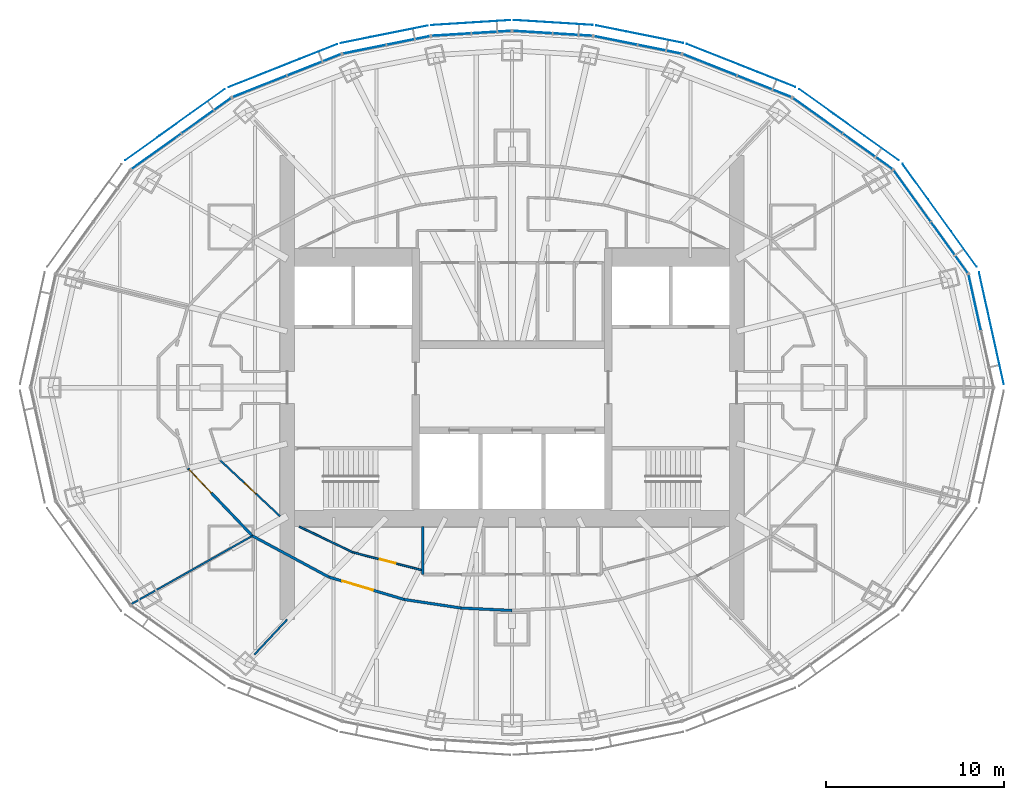
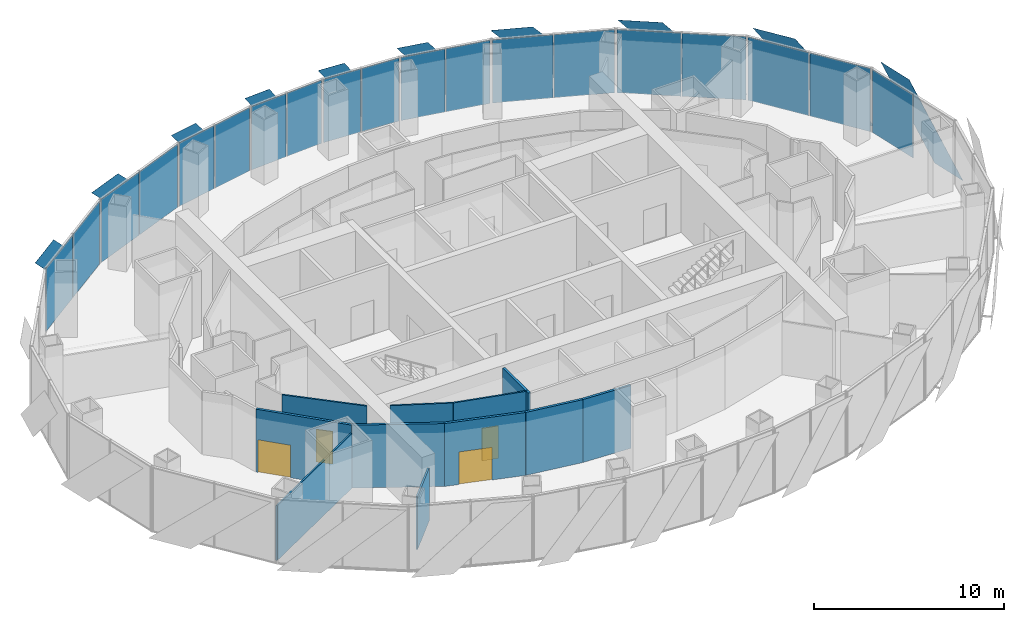
# One storey, part 11 of 17: 29 plates, 11 walls, 4 doors, 4 openings, 10 elements without a shape of their own.
"""IFC4 building model written with IfcOpenShell, lengths in metres."""

import ifcopenshell
import ifcopenshell.guid

model = None  # the IFC model being written
_history = None  # IfcOwnerHistory: only IFC2X3 demands one
_inside = {}  # id of a spatial element -> (the spatial element, [elements in it])
_under = {}  # id of a project, library or spatial element -> (it, [spatial elements below it])
_declared = {}  # id of a project -> (the project, [libraries it declares])
_typed = {}  # id of a type object -> (the type object, [elements of that type])
_made_of = {}  # id of a material, layer set ... -> (it, [elements and type objects made of it])


def new_model(schema):
    """Start an empty IFC model of exactly this schema.

    Asked for "IFC4X3", IfcOpenShell would pick the latest addendum, in which some entities
    have other attributes; the version numbers below select the first issue.
    IFC2X3 requires an IfcOwnerHistory on every rooted entity: one is made here for all.
    """
    global model, _history
    if schema == "IFC4X3":
        model = ifcopenshell.file(schema_version=(4, 3, 0, 0))
    else:
        model = ifcopenshell.file(schema=schema)
    _inside.clear()
    _under.clear()
    _declared.clear()
    _typed.clear()
    _made_of.clear()
    _history = None
    if model.schema == "IFC2X3":
        org = make("IfcOrganization", Name="unknown")
        user = make(
            "IfcPersonAndOrganization",
            ThePerson=make("IfcPerson", FamilyName="unknown"),
            TheOrganization=org,
        )
        app = make(
            "IfcApplication",
            ApplicationDeveloper=org,
            Version="unknown",
            ApplicationFullName="unknown",
            ApplicationIdentifier="unknown",
        )
        _history = make(
            "IfcOwnerHistory",
            OwningUser=user,
            OwningApplication=app,
            ChangeAction="ADDED",
            CreationDate=0,
        )
    return model


def make(cls, **values):
    """One entity of the class cls with the attributes given. An attribute that is None is left unset."""
    return model.create_entity(
        cls, **{name: value for name, value in values.items() if value is not None}
    )


def rooted(cls, **values):
    """An entity with a GlobalId (a new one), such as an element, a storey or a relation."""
    return make(cls, GlobalId=ifcopenshell.guid.new(), OwnerHistory=_history, **values)


def si_unit(unit_type, name, prefix=None):
    """IfcSIUnit, for example si_unit("LENGTHUNIT", "METRE", prefix="MILLI")."""
    return make("IfcSIUnit", UnitType=unit_type, Prefix=prefix, Name=name)


def assignment(units):
    """IfcUnitAssignment: the units of a project."""
    return None if units is None else make("IfcUnitAssignment", Units=units)


def point(xyz):
    """IfcCartesianPoint."""
    return None if xyz is None else make("IfcCartesianPoint", Coordinates=xyz)


def direction(xyz):
    """IfcDirection."""
    return None if xyz is None else make("IfcDirection", DirectionRatios=xyz)


def frame(location, z_axis=None, x_axis=None):
    """IfcAxis2Placement3D, a coordinate frame: its origin and axes. An axis left out is left unset."""
    return make(
        "IfcAxis2Placement3D",
        Location=point(location),
        Axis=direction(z_axis),
        RefDirection=direction(x_axis),
    )


def frame_2d(location, x_axis=None):
    """IfcAxis2Placement2D, a coordinate frame in the plane: its origin and x axis."""
    return make(
        "IfcAxis2Placement2D", Location=point(location), RefDirection=direction(x_axis)
    )


def origin():
    """The frame at (0, 0, 0) with its axes left unset."""
    return frame((0.0, 0.0, 0.0))


def origin_2d():
    """The frame at (0, 0) in the plane with its x axis left unset."""
    return frame_2d((0.0, 0.0))


def place(relative_to, where):
    """IfcLocalPlacement: puts the frame where relative to a parent placement (None: the world)."""
    return make(
        "IfcLocalPlacement", PlacementRelTo=relative_to, RelativePlacement=where
    )


def context(
    kind, dimensions, precision=None, world=None, true_north=None, identifier=None
):
    """IfcGeometricRepresentationContext, for example the 3D "Model" context."""
    return make(
        "IfcGeometricRepresentationContext",
        ContextIdentifier=identifier,
        ContextType=kind,
        CoordinateSpaceDimension=dimensions,
        Precision=precision,
        WorldCoordinateSystem=world,
        TrueNorth=true_north,
    )


def subcontext(parent, identifier, kind, view, scale=None):
    """IfcGeometricRepresentationSubContext, for example "Body" below "Model"."""
    return make(
        "IfcGeometricRepresentationSubContext",
        ContextIdentifier=identifier,
        ContextType=kind,
        ParentContext=parent,
        TargetScale=scale,
        TargetView=view,
    )


def project(units=None, contexts=None):
    """IfcProject with its units and contexts."""
    return rooted(
        "IfcProject",
        Name="project",
        RepresentationContexts=contexts,
        UnitsInContext=assignment(units),
    )


def spatial(cls, under=None, at=None, **own):
    """A site, building, storey or space (cls), placed at a placement, below another one or the project."""
    s = rooted(cls, ObjectPlacement=at, **own)
    if under is not None:
        _under.setdefault(under.id(), (under, []))[1].append(s)
    return s


def polyline(points):
    """IfcPolyline through the points."""
    return make("IfcPolyline", Points=[point(p) for p in points])


def profile(cls, at=None, kind="AREA", **sizes):
    """A parametric profile (cls). Its sizes go by their IFC names, for example OverallWidth=200.0."""
    return make(cls, ProfileType=kind, Position=at, **sizes)


def rectangle(**sizes):
    """IfcRectangleProfileDef."""
    return profile("IfcRectangleProfileDef", **sizes)


def outline(outer, holes=None, kind="AREA"):
    """IfcArbitraryClosedProfileDef: a profile drawn as a closed curve; with holes, ...WithVoids."""
    if holes is None:
        return make("IfcArbitraryClosedProfileDef", ProfileType=kind, OuterCurve=outer)
    return make(
        "IfcArbitraryProfileDefWithVoids",
        ProfileType=kind,
        OuterCurve=outer,
        InnerCurves=holes,
    )


def extrude(swept, where, along, depth):
    """IfcExtrudedAreaSolid: the profile swept, set in the frame where, extruded along a direction by depth."""
    return make(
        "IfcExtrudedAreaSolid",
        SweptArea=swept,
        Position=where,
        ExtrudedDirection=direction(along),
        Depth=depth,
    )


def shape(context_of_items, identifier, shape_type, items):
    """IfcShapeRepresentation: the items that make up one representation, for example the "Body"."""
    return make(
        "IfcShapeRepresentation",
        ContextOfItems=context_of_items,
        RepresentationIdentifier=identifier,
        RepresentationType=shape_type,
        Items=items,
    )


def material(Name=None, Category=None):
    """IfcMaterial."""
    return make("IfcMaterial", Name=Name, Category=Category)


def layer(
    of_material, thickness, ventilated=None, Name=None, Category=None, Priority=None
):
    """IfcMaterialLayer: one layer of a wall or slab, of a material (None: an air gap)."""
    return make(
        "IfcMaterialLayer",
        Material=of_material,
        LayerThickness=thickness,
        IsVentilated=ventilated,
        Name=Name,
        Category=Category,
        Priority=Priority,
    )


def layer_set(layers, Name=None):
    """IfcMaterialLayerSet."""
    return make("IfcMaterialLayerSet", MaterialLayers=layers, LayerSetName=Name)


def made_of(thing, what):
    """Note that an element or type object is made of a material, layer set ...; save() writes the relation."""
    if what is not None:
        _made_of.setdefault(what.id(), (what, []))[1].append(thing)
    return thing


def type_object(cls, material=None, **own):
    """A type object (cls), such as IfcWallType, which elements share."""
    return made_of(rooted(cls, **own), material)


def element(
    cls,
    number,
    at=None,
    inside=None,
    cuts=None,
    type_object=None,
    material=None,
    context=None,
    identifier="Body",
    shape_type=None,
    held_by="IfcProductDefinitionShape",
    body=None,
    shapes=None,
    **own,
):
    """One element of the class cls, such as IfcWall. Its Tag is "e" and its number.

    at: its placement. inside: the storey or other place that contains it. cuts: it is an
    opening in that element (IfcRelVoidsElement). A single representation is given by context,
    identifier, shape_type and body (its items); several are given by shapes. held_by: the class
    of the entity that holds the representations. save() writes the other relations.
    """
    e = rooted(cls, Tag="e%d" % number, ObjectPlacement=at, **own)
    if body is not None:
        shapes = [shape(context, identifier, shape_type, body)]
    if shapes is not None:
        e.Representation = make(held_by, Representations=shapes)
    if inside is not None:
        _inside.setdefault(inside.id(), (inside, []))[1].append(e)
    if cuts is not None:
        rooted(
            "IfcRelVoidsElement", RelatingBuildingElement=cuts, RelatedOpeningElement=e
        )
    if type_object is not None:
        _typed.setdefault(type_object.id(), (type_object, []))[1].append(e)
    return made_of(e, material)


def fill(opening, filler):
    """IfcRelFillsElement: the door or window that sits in an opening."""
    return rooted(
        "IfcRelFillsElement",
        RelatingOpeningElement=opening,
        RelatedBuildingElement=filler,
    )


def aggregate(whole, parts):
    """IfcRelAggregates: a whole, such as a stair, and the parts it consists of."""
    return rooted("IfcRelAggregates", RelatingObject=whole, RelatedObjects=parts)


def save(model, path):
    """Write the relations noted so far, then the file.

    IfcRelAggregates (storeys below a building ...), IfcRelContainedInSpatialStructure (elements
    in a storey), IfcRelDefinesByType, IfcRelAssociatesMaterial and IfcRelDeclares: one each for
    every whole, place, type object, material and project.
    """
    for whole, parts in _under.values():
        aggregate(whole, parts)
    for where, things in _inside.values():
        rooted(
            "IfcRelContainedInSpatialStructure",
            RelatedElements=things,
            RelatingStructure=where,
        )
    for kind, things in _typed.values():
        rooted("IfcRelDefinesByType", RelatedObjects=things, RelatingType=kind)
    for what, things in _made_of.values():
        rooted("IfcRelAssociatesMaterial", RelatedObjects=things, RelatingMaterial=what)
    for by, libraries in _declared.values():
        rooted("IfcRelDeclares", RelatingContext=by, RelatedDefinitions=libraries)
    model.write(path)


model = new_model("IFC4")

# Units and contexts
model_context = context("Model", 3, precision=1e-05, world=origin(), true_north=direction((0.0, 1.0)))
body_context = subcontext(model_context, "Body", "Model", "MODEL_VIEW")
ifc_project = project(units=[si_unit("LENGTHUNIT", "METRE"), si_unit("AREAUNIT", "SQUARE_METRE"), si_unit("VOLUMEUNIT", "CUBIC_METRE"), si_unit("PLANEANGLEUNIT", "RADIAN"), si_unit("MASSUNIT", "GRAM", prefix="KILO")], contexts=[model_context])

# Site, building, storey
site_placement = place(None, origin())
site = spatial("IfcSite", under=ifc_project, at=site_placement, CompositionType="ELEMENT")
building_placement = place(site_placement, origin())
building = spatial("IfcBuilding", under=site, at=building_placement, Name="Lantaw Convention Tower", CompositionType="ELEMENT")
storey_placement = place(building_placement, frame((0.0, 0.0, 211.60009765625)))
storey = spatial("IfcBuildingStorey", under=building, at=storey_placement, Name="L49", CompositionType="ELEMENT", Elevation=211.60009765625)

# Curtain wall, plate
ifc_material_1 = material(Name="Aluminium framed curtain wall", Category="aluminium")
curtain_wall_type = type_object("IfcCurtainWallType", Name="Office curtain wall high rise, pale aluminium", PredefinedType="USERDEFINED", material=ifc_material_1)
curtain_wall_1_placement = place(storey_placement, origin())
curtain_wall_1 = element("IfcCurtainWall", 1, at=curtain_wall_1_placement, inside=storey, type_object=curtain_wall_type, Name="Office curtain wall high rise, pale aluminium L49", ObjectType="UNITISED CURTAIN WALL", PredefinedType="USERDEFINED")
ifc_material_2 = material(Name="Clear insulating glass", Category="glass")
ifc_layer_1 = layer(ifc_material_2, 0.028076171875)
ifc_layer_set_1 = layer_set([ifc_layer_1], Name="CW-O2 panel 28")
plate_type_1 = type_object("IfcPlateType", Name="CW-O2 panel 28", PredefinedType="CURTAIN_PANEL", material=ifc_layer_set_1)
plate_1_placement = place(storey_placement, frame((25.945556640625, 4.769287109375, -0.0849609375), z_axis=(0.0, 0.0, 1.0), x_axis=(-0.215891333626, 0.976417396437, 0.0)))
plate_1 = element("IfcPlate", 2, at=plate_1_placement, type_object=plate_type_1, Name="CW-O2 panel 2.1", PredefinedType="CURTAIN_PANEL", context=body_context, shape_type="SweptSolid", body=[
    extrude(rectangle(XDim=3.169677734375, YDim=0.028076171875, at=origin_2d()), origin(), (0.0, 0.0, 1.0), 4.070068359375),
])
aggregate(curtain_wall_1, [plate_1])

# Curtain wall, plates
curtain_wall_2_placement = place(storey_placement, origin())
curtain_wall_2 = element("IfcCurtainWall", 3, at=curtain_wall_2_placement, inside=storey, type_object=curtain_wall_type, Name="Office curtain wall high rise, pale aluminium L49", ObjectType="UNITISED CURTAIN WALL", PredefinedType="USERDEFINED")
plate_2_placement = place(storey_placement, frame((24.527099609375, 7.852294921875, -0.0849609375), z_axis=(0.0, 0.0, 1.0), x_axis=(-0.585157643865, 0.810919559405, 0.0)))
plate_2 = element("IfcPlate", 4, at=plate_2_placement, type_object=plate_type_1, Name="CW-O2 panel 1.1", PredefinedType="CURTAIN_PANEL", context=body_context, shape_type="SweptSolid", body=[
    extrude(rectangle(XDim=3.500732421875, YDim=0.028076171875, at=origin_2d()), origin(), (0.0, 0.0, 1.0), 4.070068359375),
])
plate_3_placement = place(storey_placement, frame((22.4404296875, 10.743896484375, -0.0849609375), z_axis=(0.0, 0.0, 1.0), x_axis=(-0.585157643865, 0.810919559405, 0.0)))
plate_3 = element("IfcPlate", 5, at=plate_3_placement, type_object=plate_type_1, Name="CW-O2 panel 2.1", PredefinedType="CURTAIN_PANEL", context=body_context, shape_type="SweptSolid", body=[
    extrude(rectangle(XDim=3.500732421875, YDim=0.028076171875, at=origin_2d()), origin(), (0.0, 0.0, 1.0), 4.070068359375),
])
aggregate(curtain_wall_2, [plate_2, plate_3])

curtain_wall_3_placement = place(storey_placement, origin())
curtain_wall_3 = element("IfcCurtainWall", 6, at=curtain_wall_3_placement, inside=storey, type_object=curtain_wall_type, Name="Office curtain wall high rise, pale aluminium L49", ObjectType="UNITISED CURTAIN WALL", PredefinedType="USERDEFINED")
plate_4_placement = place(storey_placement, frame((19.947509765625, 13.23828125, -0.0849609375), z_axis=(0.0, 0.0, 1.0), x_axis=(-0.813672540482, 0.581323487281, 0.0)))
plate_4 = element("IfcPlate", 7, at=plate_4_placement, type_object=plate_type_1, Name="CW-O2 panel 1.1", PredefinedType="CURTAIN_PANEL", context=body_context, shape_type="SweptSolid", body=[
    extrude(rectangle(XDim=3.386474609375, YDim=0.028076171875, at=origin_2d()), origin(), (0.0, 0.0, 1.0), 4.070068359375),
])
plate_5_placement = place(storey_placement, frame((17.13916015625, 15.24462890625, -0.0849609375), z_axis=(0.0, 0.0, 1.0), x_axis=(-0.813672540482, 0.581323487281, 0.0)))
plate_5 = element("IfcPlate", 8, at=plate_5_placement, type_object=plate_type_1, Name="CW-O2 panel 2.1", PredefinedType="CURTAIN_PANEL", context=body_context, shape_type="SweptSolid", body=[
    extrude(rectangle(XDim=3.386474609375, YDim=0.028076171875, at=origin_2d()), origin(), (0.0, 0.0, 1.0), 4.070068359375),
])
aggregate(curtain_wall_3, [plate_4, plate_5])

curtain_wall_4_placement = place(storey_placement, origin())
curtain_wall_4 = element("IfcCurtainWall", 9, at=curtain_wall_4_placement, inside=storey, type_object=curtain_wall_type, Name="Office curtain wall high rise, pale aluminium L49", ObjectType="UNITISED CURTAIN WALL", PredefinedType="USERDEFINED")
plate_6_placement = place(storey_placement, frame((14.14990234375, 16.8837890625, -0.0849609375), z_axis=(0.0, 0.0, 1.0), x_axis=(-0.929761533743, 0.368162315252, 0.0)))
plate_6 = element("IfcPlate", 10, at=plate_6_placement, type_object=plate_type_1, Name="CW-O2 panel 1.1", PredefinedType="CURTAIN_PANEL", context=body_context, shape_type="SweptSolid", body=[
    extrude(rectangle(XDim=3.222900390625, YDim=0.028076171875, at=origin_2d()), origin(), (0.0, 0.0, 1.0), 4.070068359375),
])
plate_7_placement = place(storey_placement, frame((11.0927734375, 18.094482421875, -0.0849609375), z_axis=(0.0, 0.0, 1.0), x_axis=(-0.929761533743, 0.368162315252, 0.0)))
plate_7 = element("IfcPlate", 11, at=plate_7_placement, type_object=plate_type_1, Name="CW-O2 panel 2.1", PredefinedType="CURTAIN_PANEL", context=body_context, shape_type="SweptSolid", body=[
    extrude(rectangle(XDim=3.222900390625, YDim=0.028076171875, at=origin_2d()), origin(), (0.0, 0.0, 1.0), 4.070068359375),
])
aggregate(curtain_wall_4, [plate_6, plate_7])

curtain_wall_5_placement = place(storey_placement, origin())
curtain_wall_5 = element("IfcCurtainWall", 12, at=curtain_wall_5_placement, inside=storey, type_object=curtain_wall_type, Name="Office curtain wall high rise, pale aluminium L49", ObjectType="UNITISED CURTAIN WALL", PredefinedType="USERDEFINED")
plate_8_placement = place(storey_placement, frame((8.2724609375, 18.96533203125, -0.0849609375), z_axis=(0.0, 0.0, 1.0), x_axis=(-0.980366679695, 0.197183095987, 0.0)))
plate_8 = element("IfcPlate", 13, at=plate_8_placement, type_object=plate_type_1, Name="CW-O2 panel 1.1", PredefinedType="CURTAIN_PANEL", context=body_context, shape_type="SweptSolid", body=[
    extrude(rectangle(XDim=2.44384765625, YDim=0.028076171875, at=origin_2d()), origin(), (0.0, 0.0, 1.0), 4.070068359375),
])
plate_9_placement = place(storey_placement, frame((5.81298828125, 19.4599609375, -0.0849609375), z_axis=(0.0, 0.0, 1.0), x_axis=(-0.980366679695, 0.197183095987, 0.0)))
plate_9 = element("IfcPlate", 14, at=plate_9_placement, type_object=plate_type_1, Name="CW-O2 panel 2.1", PredefinedType="CURTAIN_PANEL", context=body_context, shape_type="SweptSolid", body=[
    extrude(rectangle(XDim=2.44384765625, YDim=0.028076171875, at=origin_2d()), origin(), (0.0, 0.0, 1.0), 4.070068359375),
])
aggregate(curtain_wall_5, [plate_8, plate_9])

curtain_wall_6_placement = place(storey_placement, origin())
curtain_wall_6 = element("IfcCurtainWall", 15, at=curtain_wall_6_placement, inside=storey, type_object=curtain_wall_type, Name="Office curtain wall high rise, pale aluminium L49", ObjectType="UNITISED CURTAIN WALL", PredefinedType="USERDEFINED")
plate_10_placement = place(storey_placement, frame((3.397216796875, 19.786376953125, -0.0849609375), z_axis=(0.0, 0.0, 1.0), x_axis=(-0.998028774865, 0.062757983884, 0.0)))
plate_10 = element("IfcPlate", 16, at=plate_10_placement, type_object=plate_type_1, Name="CW-O2 panel 1.1", PredefinedType="CURTAIN_PANEL", context=body_context, shape_type="SweptSolid", body=[
    extrude(rectangle(XDim=2.1826171875, YDim=0.028076171875, at=origin_2d()), origin(), (0.0, 0.0, 1.0), 4.070068359375),
])
plate_11_placement = place(storey_placement, frame((1.154052734375, 19.927490234375, -0.0849609375), z_axis=(0.0, 0.0, 1.0), x_axis=(-0.998028774865, 0.062757983884, 0.0)))
plate_11 = element("IfcPlate", 17, at=plate_11_placement, type_object=plate_type_1, Name="CW-O2 panel 2.1", PredefinedType="CURTAIN_PANEL", context=body_context, shape_type="SweptSolid", body=[
    extrude(rectangle(XDim=2.1826171875, YDim=0.028076171875, at=origin_2d()), origin(), (0.0, 0.0, 1.0), 4.070068359375),
])
aggregate(curtain_wall_6, [plate_10, plate_11])

curtain_wall_7_placement = place(storey_placement, origin())
curtain_wall_7 = element("IfcCurtainWall", 18, at=curtain_wall_7_placement, inside=storey, type_object=curtain_wall_type, Name="Office curtain wall high rise, pale aluminium L49", ObjectType="UNITISED CURTAIN WALL", PredefinedType="USERDEFINED")
plate_12_placement = place(storey_placement, frame((-1.154052734375, 19.927490234375, -0.0849609375), z_axis=(0.0, 0.0, 1.0), x_axis=(-0.998028774865, -0.062757983884, 0.0)))
plate_12 = element("IfcPlate", 19, at=plate_12_placement, type_object=plate_type_1, Name="CW-O2 panel 1.1", PredefinedType="CURTAIN_PANEL", context=body_context, shape_type="SweptSolid", body=[
    extrude(rectangle(XDim=2.1826171875, YDim=0.028076171875, at=origin_2d()), origin(), (0.0, 0.0, 1.0), 4.070068359375),
])
plate_13_placement = place(storey_placement, frame((-3.397216796875, 19.786376953125, -0.0849609375), z_axis=(0.0, 0.0, 1.0), x_axis=(-0.998028774865, -0.062757983884, 0.0)))
plate_13 = element("IfcPlate", 20, at=plate_13_placement, type_object=plate_type_1, Name="CW-O2 panel 2.1", PredefinedType="CURTAIN_PANEL", context=body_context, shape_type="SweptSolid", body=[
    extrude(rectangle(XDim=2.1826171875, YDim=0.028076171875, at=origin_2d()), origin(), (0.0, 0.0, 1.0), 4.070068359375),
])
aggregate(curtain_wall_7, [plate_12, plate_13])

curtain_wall_8_placement = place(storey_placement, origin())
curtain_wall_8 = element("IfcCurtainWall", 21, at=curtain_wall_8_placement, inside=storey, type_object=curtain_wall_type, Name="Office curtain wall high rise, pale aluminium L49", ObjectType="UNITISED CURTAIN WALL", PredefinedType="USERDEFINED")
plate_14_placement = place(storey_placement, frame((-5.81298828125, 19.4599609375, -0.0849609375), z_axis=(0.0, 0.0, 1.0), x_axis=(-0.980366679695, -0.197183095987, 0.0)))
plate_14 = element("IfcPlate", 22, at=plate_14_placement, type_object=plate_type_1, Name="CW-O2 panel 1.1", PredefinedType="CURTAIN_PANEL", context=body_context, shape_type="SweptSolid", body=[
    extrude(rectangle(XDim=2.44384765625, YDim=0.028076171875, at=origin_2d()), origin(), (0.0, 0.0, 1.0), 4.070068359375),
])
plate_15_placement = place(storey_placement, frame((-8.2724609375, 18.96533203125, -0.0849609375), z_axis=(0.0, 0.0, 1.0), x_axis=(-0.980366679695, -0.197183095987, 0.0)))
plate_15 = element("IfcPlate", 23, at=plate_15_placement, type_object=plate_type_1, Name="CW-O2 panel 2.1", PredefinedType="CURTAIN_PANEL", context=body_context, shape_type="SweptSolid", body=[
    extrude(rectangle(XDim=2.44384765625, YDim=0.028076171875, at=origin_2d()), origin(), (0.0, 0.0, 1.0), 4.070068359375),
])
aggregate(curtain_wall_8, [plate_14, plate_15])

curtain_wall_9_placement = place(storey_placement, origin())
curtain_wall_9 = element("IfcCurtainWall", 24, at=curtain_wall_9_placement, inside=storey, type_object=curtain_wall_type, Name="Office curtain wall high rise, pale aluminium L49", ObjectType="UNITISED CURTAIN WALL", PredefinedType="USERDEFINED")
plate_16_placement = place(storey_placement, frame((-11.0927734375, 18.094482421875, -0.0849609375), z_axis=(0.0, 0.0, 1.0), x_axis=(-0.929761533743, -0.368162315252, 0.0)))
plate_16 = element("IfcPlate", 25, at=plate_16_placement, type_object=plate_type_1, Name="CW-O2 panel 1.1", PredefinedType="CURTAIN_PANEL", context=body_context, shape_type="SweptSolid", body=[
    extrude(rectangle(XDim=3.222900390625, YDim=0.028076171875, at=origin_2d()), origin(), (0.0, 0.0, 1.0), 4.070068359375),
])
plate_17_placement = place(storey_placement, frame((-14.14990234375, 16.8837890625, -0.0849609375), z_axis=(0.0, 0.0, 1.0), x_axis=(-0.929761533743, -0.368162315252, 0.0)))
plate_17 = element("IfcPlate", 26, at=plate_17_placement, type_object=plate_type_1, Name="CW-O2 panel 2.1", PredefinedType="CURTAIN_PANEL", context=body_context, shape_type="SweptSolid", body=[
    extrude(rectangle(XDim=3.222900390625, YDim=0.028076171875, at=origin_2d()), origin(), (0.0, 0.0, 1.0), 4.070068359375),
])
aggregate(curtain_wall_9, [plate_16, plate_17])

curtain_wall_10_placement = place(storey_placement, origin())
curtain_wall_10 = element("IfcCurtainWall", 27, at=curtain_wall_10_placement, inside=storey, type_object=curtain_wall_type, Name="Office curtain wall high rise, pale aluminium L49", ObjectType="UNITISED CURTAIN WALL", PredefinedType="USERDEFINED")
plate_18_placement = place(storey_placement, frame((-17.13916015625, 15.24462890625, -0.0849609375), z_axis=(0.0, 0.0, 1.0), x_axis=(-0.813672540482, -0.581323487281, 0.0)))
plate_18 = element("IfcPlate", 28, at=plate_18_placement, type_object=plate_type_1, Name="CW-O2 panel 1.1", PredefinedType="CURTAIN_PANEL", context=body_context, shape_type="SweptSolid", body=[
    extrude(rectangle(XDim=3.386474609375, YDim=0.028076171875, at=origin_2d()), origin(), (0.0, 0.0, 1.0), 4.070068359375),
])
plate_19_placement = place(storey_placement, frame((-19.947509765625, 13.23828125, -0.0849609375), z_axis=(0.0, 0.0, 1.0), x_axis=(-0.813672540482, -0.581323487281, 0.0)))
plate_19 = element("IfcPlate", 29, at=plate_19_placement, type_object=plate_type_1, Name="CW-O2 panel 2.1", PredefinedType="CURTAIN_PANEL", context=body_context, shape_type="SweptSolid", body=[
    extrude(rectangle(XDim=3.386474609375, YDim=0.028076171875, at=origin_2d()), origin(), (0.0, 0.0, 1.0), 4.070068359375),
])
aggregate(curtain_wall_10, [plate_18, plate_19])

# Plates
ifc_material_3 = material(Name="Perforated aluminium sheet, pale silver finish", Category="aluminium")
ifc_layer_2 = layer(ifc_material_3, 0.006103515625)
ifc_layer_set_2 = layer_set([ifc_layer_2], Name="Perforated aluminium solar SCREEN panel")
plate_type_2 = type_object("IfcPlateType", Name="Perforated aluminium solar SCREEN panel", PredefinedType="SHEET", material=ifc_layer_set_2)
plate_20_placement = place(storey_placement, frame((27.580810546875, 0.1796875, -0.175048828125), z_axis=(0.976429511424, 0.215836529031, 4.4221925e-05), x_axis=(-0.215836529242, 0.976429512379, 0.0)))
element("IfcPlate", 30, at=plate_20_placement, inside=storey, type_object=plate_type_2, Name="Solar SCREEN panel", PredefinedType="SHEET", context=body_context, shape_type="SweptSolid", body=[
    extrude(outline(polyline([(0.0, 0.0), (2.2215525295212517, 3.3881317890172014e-21), (6.4341686174090675, 4.339843754243453), (4.212616087887817, 4.339843754243453), (0.0, 0.0)])), origin(), (0.0, 0.0, -1.0), 0.006103515625),
])
plate_21_placement = place(storey_placement, frame((26.051513671875, 6.775390625, -0.175048828125), z_axis=(-0.810892289695, -0.585195432394, 2.0459565e-05), x_axis=(-0.585195432516, 0.810892289865, 0.0)))
element("IfcPlate", 31, at=plate_21_placement, inside=storey, type_object=plate_type_2, Name="Solar SCREEN panel", PredefinedType="SHEET", context=body_context, shape_type="SweptSolid", body=[
    extrude(outline(polyline([(0.0, 0.0), (2.4468488406832853, 0.0), (7.096610466675719, -4.339843750908316), (4.649761625992434, -4.339843750908316), (0.0, 0.0)])), origin(), (0.0, 0.0, -1.0), 0.006103515625),
])
plate_22_placement = place(storey_placement, frame((21.689697265625, 12.73828125, -0.175048828125), z_axis=(0.581330799771, 0.813667316006, 1.0072981e-05), x_axis=(-0.813667316047, 0.5813307998, 3.02e-10)))
element("IfcPlate", 32, at=plate_22_placement, inside=storey, type_object=plate_type_2, Name="Solar SCREEN panel", PredefinedType="SHEET", context=body_context, shape_type="SweptSolid", body=[
    extrude(outline(polyline([(0.0, 0.0), (2.36914164286685, -1.6940658945086007e-21), (6.867806096558412, 4.339843748148034), (4.498863102938643, 4.3398437495775966), (0.0, 0.0)])), origin(), (0.0, 0.0, -1.0), 0.006103515625),
])
plate_23_placement = place(storey_placement, frame((15.88525390625, 16.8486328125, -0.175048828125), z_axis=(-0.368116612072, -0.929779629081, 3.5535267e-05), x_axis=(-0.929779629668, 0.368116612304, -1.786e-09)))
element("IfcPlate", 33, at=plate_23_placement, inside=storey, type_object=plate_type_2, Name="Solar SCREEN panel", PredefinedType="SHEET", context=body_context, shape_type="SweptSolid", body=[
    extrude(outline(polyline([(0.0, 0.0), (2.2578720663572183, -6.776263578034403e-21), (6.540904465438181, -4.339843764423989), (4.282942526861161, -4.33984375635743), (0.0, 0.0)])), origin(), (0.0, 0.0, -1.0), 0.006103515625),
])
plate_24_placement = place(storey_placement, frame((9.6044921875, 19.315673828125, -0.175048828125), z_axis=(-0.197162069853, -0.980370908428, 1.0904697e-05), x_axis=(-0.980370908486, 0.197162069865, -7.55e-10)))
element("IfcPlate", 34, at=plate_24_placement, inside=storey, type_object=plate_type_2, Name="Solar SCREEN panel", PredefinedType="SHEET", context=body_context, shape_type="SweptSolid", body=[
    extrude(outline(polyline([(0.0, 0.0), (1.7279870169553606, 0.0), (4.982578440602753, -4.339843754020975), (3.2545432883764285, -4.339843751410917), (0.0, 0.0)])), origin(), (0.0, 0.0, -1.0), 0.006103515625),
])
plate_25_placement = place(storey_placement, frame((4.539306640625, 20.32177734375, -0.175048828125), z_axis=(-0.062672387577, -0.998034151922, 5.8589976e-05), x_axis=(-0.998034153635, 0.062672387685, 0.0)))
element("IfcPlate", 35, at=plate_25_placement, inside=storey, type_object=plate_type_2, Name="Solar SCREEN panel", PredefinedType="SHEET", context=body_context, shape_type="SweptSolid", body=[
    extrude(outline(polyline([(0.0, 0.0), (1.5504111513762302, 8.470329472543003e-22), (4.460200019412434, -4.339843757448876), (2.9097888680362036, -4.339843757448876), (0.0, 0.0)])), origin(), (0.0, 0.0, -1.0), 0.006103515625),
])
plate_26_placement = place(storey_placement, frame((-0.087890625, 20.6015625, -0.175048828125), z_axis=(-0.062672387577, 0.998034151922, 5.8589976e-05), x_axis=(-0.998034153635, -0.062672387685, 0.0)))
element("IfcPlate", 36, at=plate_26_placement, inside=storey, type_object=plate_type_2, Name="Solar SCREEN panel", PredefinedType="SHEET", context=body_context, shape_type="SweptSolid", body=[
    extrude(outline(polyline([(0.0, 0.0), (1.5504111513762302, -8.470329472543003e-22), (4.460200019412434, 4.339843757448876), (2.9097888680362036, 4.339843757448876), (0.0, 0.0)])), origin(), (0.0, 0.0, -1.0), 0.006103515625),
])
plate_27_placement = place(storey_placement, frame((-4.7197265625, 20.298095703125, -0.175048828125), z_axis=(-0.197162069853, 0.980370908428, 1.0904697e-05), x_axis=(-0.980370908486, -0.197162069865, 7.55e-10)))
element("IfcPlate", 37, at=plate_27_placement, inside=storey, type_object=plate_type_2, Name="Solar SCREEN panel", PredefinedType="SHEET", context=body_context, shape_type="SweptSolid", body=[
    extrude(outline(polyline([(0.0, 0.0), (1.7280351522263238, 0.0), (4.982578447157737, 4.339843746495192), (3.2545914302023755, 4.339843749105177), (0.0, 0.0)])), origin(), (0.0, 0.0, -1.0), 0.006103515625),
])
plate_28_placement = place(storey_placement, frame((-9.8037109375, 19.256591796875, -0.175048828125), z_axis=(-0.368116612072, 0.929779629081, 3.5535267e-05), x_axis=(-0.929779629668, -0.368116612304, 1.786e-09)))
element("IfcPlate", 38, at=plate_28_placement, inside=storey, type_object=plate_type_2, Name="Solar SCREEN panel", PredefinedType="SHEET", context=body_context, shape_type="SweptSolid", body=[
    extrude(outline(polyline([(0.0, 0.0), (2.257961938577019, 6.776263578034403e-21), (6.540904480942253, 4.339843741056637), (4.283032414585034, 4.339843749122875), (0.0, 0.0)])), origin(), (0.0, 0.0, -1.0), 0.006103515625),
])
plate_29_placement = place(storey_placement, frame((-16.1015625, 16.730712890625, -0.175048828125), z_axis=(0.581330799771, -0.813667316006, 1.0072981e-05), x_axis=(-0.813667316047, -0.5813307998, -3.02e-10)))
element("IfcPlate", 39, at=plate_29_placement, inside=storey, type_object=plate_type_2, Name="Solar SCREEN panel", PredefinedType="SHEET", context=body_context, shape_type="SweptSolid", body=[
    extrude(outline(polyline([(0.0, 0.0), (2.3689429936197683, -1.6940658945086007e-21), (6.867806093939489, -4.339843752292481), (4.498664451072639, -4.339843750862799), (0.0, 0.0)])), origin(), (0.0, 0.0, -1.0), 0.006103515625),
])

# Wall, opening, door
ifc_material_4 = material(Name="Gypsum board on steel studs, fire rated", Category="steel")
ifc_layer_3 = layer(ifc_material_4, 0.14990234375)
ifc_layer_set_3 = layer_set([ifc_layer_3], Name="Corridor wall 150 EI 60")
wall_type_1 = type_object("IfcWallType", Name="Corridor wall 150 EI 60", PredefinedType="PARTITIONING", material=ifc_layer_set_3)
wall_1_placement = place(storey_placement, frame((-18.173583984375, -4.53125, 0.0), z_axis=(0.0, 0.0, 1.0), x_axis=(0.690768413292, -0.723076067366, 0.0)))
wall_1 = element("IfcWall", 40, at=wall_1_placement, inside=storey, type_object=wall_type_1, Name="Corridor wall 150", PredefinedType="PARTITIONING", context=body_context, shape_type="SweptSolid", body=[
    extrude(rectangle(XDim=5.23681640625, YDim=0.14990234375, at=frame_2d((2.618408203125, 0.0))), origin(), (0.0, 0.0, 1.0), 4.0498046875),
])
opening_1_placement = place(wall_1_placement, frame((0.10009765625, 0.0, 0.0)))
opening_1 = element("IfcOpeningElement", 41, at=opening_1_placement, cuts=wall_1, Name="Opening L49.34", PredefinedType="OPENING", context=body_context, shape_type="SweptSolid", body=[
    extrude(rectangle(XDim=1.800048828125, YDim=2.10009765625, at=frame_2d((0.89990234375, 1.050048828125))), frame((0.0, 0.0849609375, 0.0), z_axis=(0.0, -1.0, 0.0), x_axis=(1.0, 0.0, 0.0)), (0.0, 0.0, 1.0), 0.169921875),
])
ifc_material_5 = material(Name="Steel, fire rated", Category="steel")
door_type_1 = type_object("IfcDoorType", Name="Office double door 1800 FD30", OperationType="DOUBLE_DOOR_DOUBLE_SWING", PredefinedType="DOOR", material=ifc_material_5)
door_1_placement = place(opening_1_placement, origin())
door_1 = element("IfcDoor", 42, at=door_1_placement, inside=storey, type_object=door_type_1, Name="Boardroom door", OperationType="DOUBLE_DOOR_DOUBLE_SWING", OverallHeight=2.10009765625, OverallWidth=1.800048828125, PredefinedType="DOOR", context=body_context, shape_type="SweptSolid", body=[
    extrude(rectangle(XDim=1.800048828125, YDim=2.10009765625, at=frame_2d((0.89990234375, 1.050048828125))), frame((0.0, 0.02490234375, 0.0), z_axis=(0.0, -1.0, 0.0), x_axis=(1.0, 0.0, 0.0)), (0.0, 0.0, 1.0), 0.050048828125),
])
fill(opening_1, door_1)

# Wall
wall_2_placement = place(storey_placement, frame((-14.55615234375, -8.31787109375, 0.0), z_axis=(0.0, 0.0, 1.0), x_axis=(0.88053863253, -0.47397438393, 0.0)))
element("IfcWall", 43, at=wall_2_placement, inside=storey, type_object=wall_type_1, Name="Corridor wall 150", PredefinedType="PARTITIONING", context=body_context, shape_type="SweptSolid", body=[
    extrude(rectangle(XDim=4.874755859375, YDim=0.14990234375, at=frame_2d((2.4375, 0.0))), origin(), (0.0, 0.0, 1.0), 4.0498046875),
])

# Wall, opening, door
wall_3_placement = place(storey_placement, frame((-10.263671875, -10.62841796875, 0.0), z_axis=(0.0, 0.0, 1.0), x_axis=(0.958384389306, -0.285480931648, 0.0)))
wall_3 = element("IfcWall", 44, at=wall_3_placement, inside=storey, type_object=wall_type_1, Name="Corridor wall 150", PredefinedType="PARTITIONING", context=body_context, shape_type="SweptSolid", body=[
    extrude(rectangle(XDim=4.392333984375, YDim=0.14990234375, at=frame_2d((2.1962890625, 0.0))), origin(), (0.0, 0.0, 1.0), 4.0498046875),
])
opening_2_placement = place(wall_3_placement, frame((0.775146484375, 0.0, 0.0)))
opening_2 = element("IfcOpeningElement", 45, at=opening_2_placement, cuts=wall_3, Name="Opening L49.35", PredefinedType="OPENING", context=body_context, shape_type="SweptSolid", body=[
    extrude(rectangle(XDim=1.800048828125, YDim=2.10009765625, at=frame_2d((0.89990234375, 1.050048828125))), frame((0.0, 0.0849609375, 0.0), z_axis=(0.0, -1.0, 0.0), x_axis=(1.0, 0.0, 0.0)), (0.0, 0.0, 1.0), 0.169921875),
])
door_2_placement = place(opening_2_placement, origin())
door_2 = element("IfcDoor", 46, at=door_2_placement, inside=storey, type_object=door_type_1, Name="Open office door", OperationType="DOUBLE_DOOR_DOUBLE_SWING", OverallHeight=2.10009765625, OverallWidth=1.800048828125, PredefinedType="DOOR", context=body_context, shape_type="SweptSolid", body=[
    extrude(rectangle(XDim=1.800048828125, YDim=2.10009765625, at=frame_2d((0.89990234375, 1.050048828125))), frame((0.0, 0.02490234375, 0.0), z_axis=(0.0, -1.0, 0.0), x_axis=(1.0, 0.0, 0.0)), (0.0, 0.0, 1.0), 0.050048828125),
])
fill(opening_2, door_2)

# Walls
wall_4_placement = place(storey_placement, frame((-6.05419921875, -11.88232421875, 0.0), z_axis=(0.0, 0.0, 1.0), x_axis=(0.988800347251, -0.149244340852, 0.0)))
element("IfcWall", 47, at=wall_4_placement, inside=storey, type_object=wall_type_1, Name="Corridor wall 150", PredefinedType="PARTITIONING", context=body_context, shape_type="SweptSolid", body=[
    extrude(rectangle(XDim=3.235595703125, YDim=0.14990234375, at=frame_2d((1.61767578125, 0.0))), origin(), (0.0, 0.0, 1.0), 4.0498046875),
])
wall_5_placement = place(storey_placement, frame((-2.854736328125, -12.365234375, 0.0), z_axis=(0.0, 0.0, 1.0), x_axis=(0.998887574055, -0.047155216016, 0.0)))
element("IfcWall", 48, at=wall_5_placement, inside=storey, type_object=wall_type_1, Name="Corridor wall 150", PredefinedType="PARTITIONING", context=body_context, shape_type="SweptSolid", body=[
    extrude(rectangle(XDim=2.85791015625, YDim=0.14990234375, at=frame_2d((1.428955078125, 0.0))), origin(), (0.0, 0.0, 1.0), 4.0498046875),
])
ifc_material_6 = material(Name="Gypsum board on steel studs, acoustic", Category="steel")
ifc_layer_4 = layer(ifc_material_6, 0.10009765625)
ifc_layer_set_4 = layer_set([ifc_layer_4], Name="Office partition 100")
wall_type_2 = type_object("IfcWallType", Name="Office partition 100", PredefinedType="PARTITIONING", material=ifc_layer_set_4)
wall_6_placement = place(storey_placement, frame((-21.3583984375, -12.149658203125, 0.0), z_axis=(0.0, 0.0, 1.0), x_axis=(0.871273053995, 0.490798599614, 0.0)))
element("IfcWall", 49, at=wall_6_placement, inside=storey, type_object=wall_type_2, Name="Office partition 100", PredefinedType="PARTITIONING", context=body_context, shape_type="SweptSolid", body=[
    extrude(rectangle(XDim=7.80712890625, YDim=0.10009765625, at=frame_2d((3.903564453125, 0.0))), origin(), (0.0, 0.0, 1.0), 3.524169921875),
])

# Wall, opening, door
wall_7_placement = place(storey_placement, frame((-13.0, -7.22216796875, 0.0), z_axis=(0.0, 0.0, 1.0), x_axis=(-0.730651186567, 0.682750938167, 0.0)))
wall_7 = element("IfcWall", 50, at=wall_7_placement, inside=storey, type_object=wall_type_2, Name="Office partition 100", PredefinedType="PARTITIONING", context=body_context, shape_type="SweptSolid", body=[
    extrude(rectangle(XDim=4.6025390625, YDim=0.10009765625, at=frame_2d((2.30126953125, 0.0))), origin(), (0.0, 0.0, 1.0), 4.0498046875),
])
opening_3_placement = place(wall_7_placement, frame((1.851318359375, 0.0, 0.0)))
opening_3 = element("IfcOpeningElement", 51, at=opening_3_placement, cuts=wall_7, Name="Opening L49.22", PredefinedType="OPENING", context=body_context, shape_type="SweptSolid", body=[
    extrude(rectangle(XDim=0.89990234375, YDim=2.10009765625, at=frame_2d((0.449951171875, 1.050048828125))), frame((0.0, 0.06005859375, 0.0), z_axis=(0.0, -1.0, 0.0), x_axis=(1.0, 0.0, 0.0)), (0.0, 0.0, 1.0), 0.1201171875),
])
ifc_material_7 = material(Name="Timber", Category="wood")
door_type_2 = type_object("IfcDoorType", Name="Office door 900", OperationType="SINGLE_SWING_LEFT", PredefinedType="DOOR", material=ifc_material_7)
door_3_placement = place(opening_3_placement, origin())
door_3 = element("IfcDoor", 52, at=door_3_placement, inside=storey, type_object=door_type_2, Name="Meeting room door", OperationType="SINGLE_SWING_LEFT", OverallHeight=2.10009765625, OverallWidth=0.89990234375, PredefinedType="DOOR", context=body_context, shape_type="SweptSolid", body=[
    extrude(rectangle(XDim=0.89990234375, YDim=2.10009765625, at=frame_2d((0.449951171875, 1.050048828125))), frame((0.0, 0.02490234375, 0.0), z_axis=(0.0, -1.0, 0.0), x_axis=(1.0, 0.0, 0.0)), (0.0, 0.0, 1.0), 0.050048828125),
])
fill(opening_3, door_3)

wall_8_placement = place(storey_placement, frame((-5.0, -10.254150390625, 0.0), z_axis=(0.0, 0.0, 1.0), x_axis=(-0.968224167198, 0.250083910027, 0.0)))
wall_8 = element("IfcWall", 53, at=wall_8_placement, inside=storey, type_object=wall_type_2, Name="Office partition 100", PredefinedType="PARTITIONING", context=body_context, shape_type="SweptSolid", body=[
    extrude(rectangle(XDim=4.05224609375, YDim=0.10009765625, at=frame_2d((2.026123046875, 0.0))), origin(), (0.0, 0.0, 1.0), 4.0498046875),
])
opening_4_placement = place(wall_8_placement, frame((1.576171875, 0.0, 0.0)))
opening_4 = element("IfcOpeningElement", 54, at=opening_4_placement, cuts=wall_8, Name="Opening L49.23", PredefinedType="OPENING", context=body_context, shape_type="SweptSolid", body=[
    extrude(rectangle(XDim=0.89990234375, YDim=2.10009765625, at=frame_2d((0.449951171875, 1.050048828125))), frame((0.0, 0.06005859375, 0.0), z_axis=(0.0, -1.0, 0.0), x_axis=(1.0, 0.0, 0.0)), (0.0, 0.0, 1.0), 0.1201171875),
])
door_4_placement = place(opening_4_placement, origin())
door_4 = element("IfcDoor", 55, at=door_4_placement, inside=storey, type_object=door_type_2, Name="Project room door", OperationType="SINGLE_SWING_LEFT", OverallHeight=2.10009765625, OverallWidth=0.89990234375, PredefinedType="DOOR", context=body_context, shape_type="SweptSolid", body=[
    extrude(rectangle(XDim=0.89990234375, YDim=2.10009765625, at=frame_2d((0.449951171875, 1.050048828125))), frame((0.0, 0.02490234375, 0.0), z_axis=(0.0, -1.0, 0.0), x_axis=(1.0, 0.0, 0.0)), (0.0, 0.0, 1.0), 0.050048828125),
])
fill(opening_4, door_4)

# Walls
wall_9_placement = place(storey_placement, frame((-8.923583984375, -9.24072265625, 0.0), z_axis=(0.0, 0.0, 1.0), x_axis=(-0.901553947207, 0.432666708073, 0.0)))
element("IfcWall", 56, at=wall_9_placement, inside=storey, type_object=wall_type_2, Name="Office partition 100", PredefinedType="PARTITIONING", context=body_context, shape_type="SweptSolid", body=[
    extrude(rectangle(XDim=3.329833984375, YDim=0.10009765625, at=frame_2d((1.6650390625, 0.0))), origin(), (0.0, 0.0, 1.0), 4.0498046875),
])
wall_10_placement = place(storey_placement, frame((-12.60009765625, -13.0, 0.0), z_axis=(0.0, 0.0, 1.0), x_axis=(-0.682434118301, -0.730947107648, 0.0)))
element("IfcWall", 57, at=wall_10_placement, inside=storey, type_object=wall_type_2, Name="Office partition 100", PredefinedType="PARTITIONING", context=body_context, shape_type="SweptSolid", body=[
    extrude(rectangle(XDim=2.702392578125, YDim=0.10009765625, at=frame_2d((1.35107421875, 0.0))), origin(), (0.0, 0.0, 1.0), 3.409912109375),
])
ifc_material_8 = material(Name="Concrete blockwork", Category="masonry")
ifc_layer_5 = layer(ifc_material_8, 0.14990234375)
ifc_layer_set_5 = layer_set([ifc_layer_5], Name="WC wall 150")
wall_type_3 = type_object("IfcWallType", Name="WC wall 150", PredefinedType="SOLIDWALL", material=ifc_layer_set_5)
wall_11_placement = place(storey_placement, frame((-5.0, -7.800048828125, 0.0), z_axis=(0.0, 0.0, 1.0), x_axis=(0.0, -1.0, 0.0)))
element("IfcWall", 58, at=wall_11_placement, inside=storey, type_object=wall_type_3, Name="WC wall 150", PredefinedType="SOLIDWALL", context=body_context, shape_type="SweptSolid", body=[
    extrude(rectangle(XDim=2.681884765625, YDim=0.14990234375, at=frame_2d((1.3408203125, 0.0))), origin(), (0.0, 0.0, 1.0), 4.0498046875),
])

save(model, "model.ifc")
